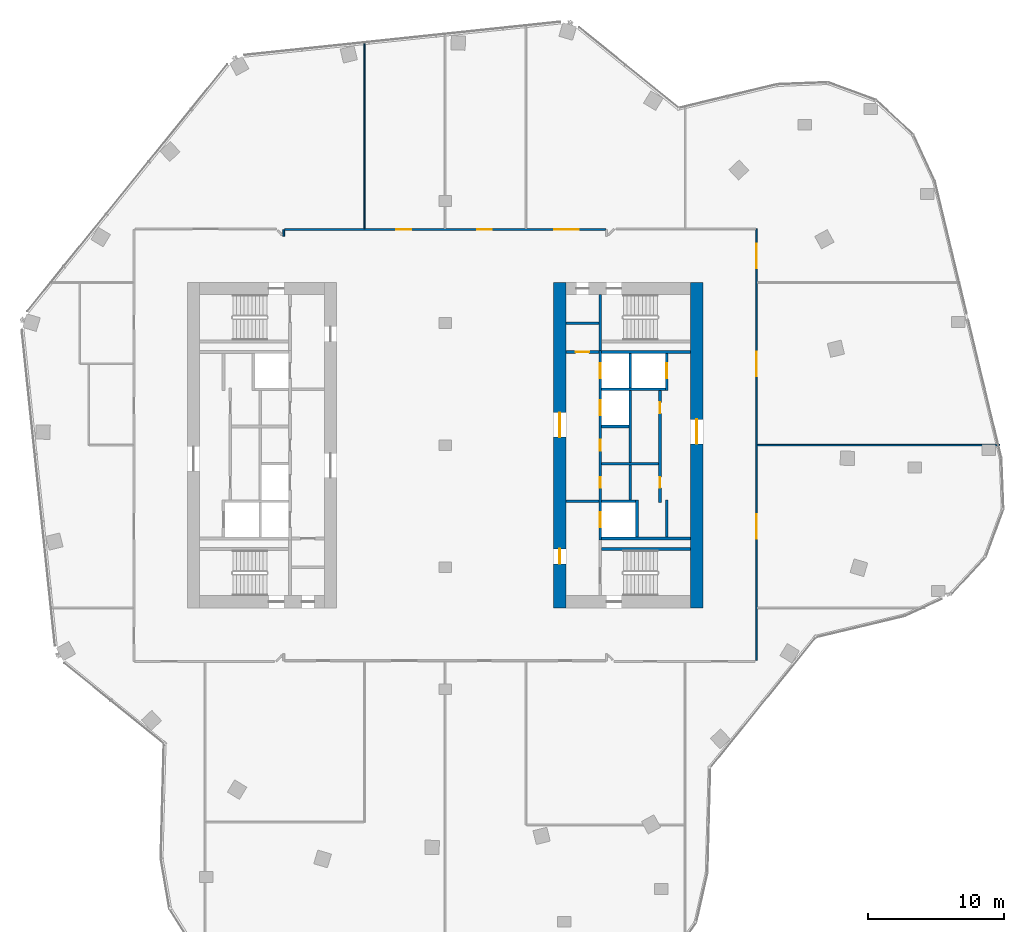
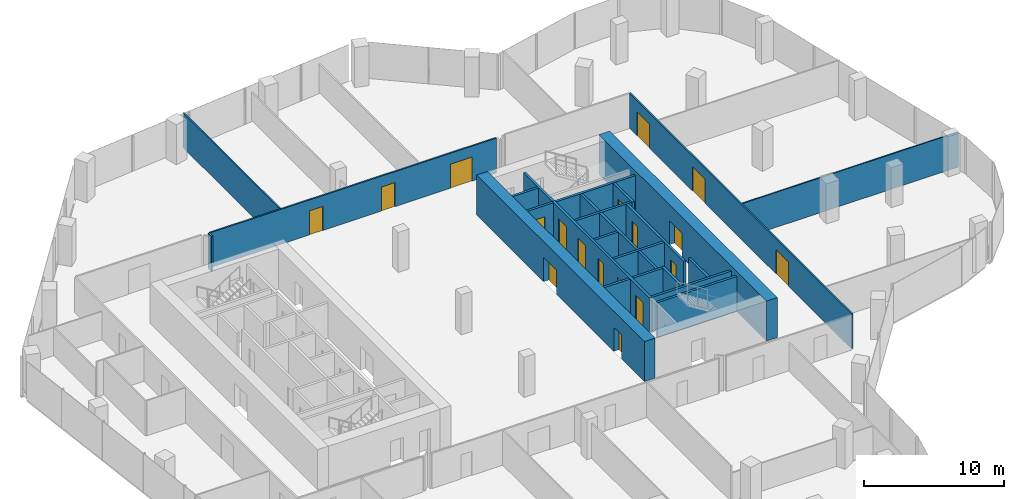
# One storey, part 20 of 23: 26 walls, 18 doors, 18 openings.
"""IFC4 building model written with IfcOpenShell, lengths in metres."""

from ifc_helpers import new_model, si_unit, direction, frame, frame_2d, origin, place, context, subcontext, project, spatial, rectangle, extrude, material, layer, layer_set, type_object, element, fill, save


model = new_model("IFC4")

# Units and contexts
model_context = context("Model", 3, precision=1e-05, world=origin(), true_north=direction((0.0, 1.0)))
body_context = subcontext(model_context, "Body", "Model", "MODEL_VIEW")
ifc_project = project(units=[si_unit("LENGTHUNIT", "METRE"), si_unit("AREAUNIT", "SQUARE_METRE"), si_unit("VOLUMEUNIT", "CUBIC_METRE"), si_unit("PLANEANGLEUNIT", "RADIAN"), si_unit("MASSUNIT", "GRAM", prefix="KILO")], contexts=[model_context])

# Site, building, storey
site_placement = place(None, origin())
site = spatial("IfcSite", under=ifc_project, at=site_placement, CompositionType="ELEMENT")
building_placement = place(site_placement, origin())
building = spatial("IfcBuilding", under=site, at=building_placement, Name="Orlundy Tower", CompositionType="ELEMENT")
storey_placement = place(building_placement, frame((0.0, 0.0, 221.0)))
storey = spatial("IfcBuildingStorey", under=building, at=storey_placement, Name="L58", CompositionType="ELEMENT", Elevation=221.0)

# Wall, openings, doors
ifc_material_1 = material(Name="Concrete C60/75", Category="concrete")
ifc_layer_1 = layer(ifc_material_1, 0.89990234375)
ifc_layer_set_1 = layer_set([ifc_layer_1], Name="CORE WALL 900 C60/75")
wall_type_1 = type_object("IfcWallType", Name="CORE WALL 900 C60/75", PredefinedType="SHEAR", material=ifc_layer_set_1)
wall_1_placement = place(storey_placement, frame((8.449951171875, -12.0, 0.0), z_axis=(0.0, 0.0, 1.0), x_axis=(0.0, 1.0, 0.0)))
wall_1 = element("IfcWall", 1, at=wall_1_placement, inside=storey, type_object=wall_type_1, Name="Core wall E-W L58", PredefinedType="SHEAR", context=body_context, shape_type="SweptSolid", body=[
    extrude(rectangle(XDim=24.0, YDim=0.89990234375, at=frame_2d((12.0, 0.0))), origin(), (0.0, 0.0, 1.0), 3.5),
])
opening_1_placement = place(wall_1_placement, frame((12.60009765625, 0.0, 0.0)))
opening_1 = element("IfcOpeningElement", 2, at=opening_1_placement, cuts=wall_1, Name="Opening 45058", PredefinedType="OPENING", context=body_context, shape_type="SweptSolid", body=[
    extrude(rectangle(XDim=1.800048828125, YDim=2.10009765625, at=frame_2d((0.89990234375, 1.050048828125))), frame((0.0, 0.4599609375, 0.0), z_axis=(0.0, -1.0, 0.0), x_axis=(1.0, 0.0, 0.0)), (0.0, 0.0, 1.0), 0.919921875),
])
opening_2_placement = place(wall_1_placement, frame((3.25, 0.0, 0.0)))
opening_2 = element("IfcOpeningElement", 3, at=opening_2_placement, cuts=wall_1, Name="Opening 45060", PredefinedType="OPENING", context=body_context, shape_type="SweptSolid", body=[
    extrude(rectangle(XDim=1.10009765625, YDim=2.10009765625, at=frame_2d((0.550048828125, 1.050048828125))), frame((0.0, 0.4599609375, 0.0), z_axis=(0.0, -1.0, 0.0), x_axis=(1.0, 0.0, 0.0)), (0.0, 0.0, 1.0), 0.919921875),
])
ifc_material_2 = material(Name="Steel door set", Category="steel")
door_type_1 = type_object("IfcDoorType", Name="Fire-fighting Lobby Door 1100x2100", OperationType="SINGLE_SWING_LEFT", PredefinedType="DOOR", material=ifc_material_2)
door_1_placement = place(opening_2_placement, origin())
door_1 = element("IfcDoor", 4, at=door_1_placement, inside=storey, type_object=door_type_1, Name="Fire-fighting lobby door 45060", OperationType="SINGLE_SWING_LEFT", OverallHeight=2.10009765625, OverallWidth=1.10009765625, PredefinedType="DOOR", context=body_context, shape_type="SweptSolid", body=[
    extrude(rectangle(XDim=1.10009765625, YDim=2.10009765625, at=frame_2d((0.550048828125, 1.050048828125))), frame((0.0, 0.02490234375, 0.0), z_axis=(0.0, -1.0, 0.0), x_axis=(1.0, 0.0, 0.0)), (0.0, 0.0, 1.0), 0.050048828125),
])
fill(opening_2, door_1)
ifc_material_3 = material(Name="Timber door set", Category="wood")
door_type_2 = type_object("IfcDoorType", Name="Lobby Door 1800x2100", OperationType="DOUBLE_DOOR_DOUBLE_SWING", PredefinedType="DOOR", material=ifc_material_3)
door_2_placement = place(opening_1_placement, origin())
door_2 = element("IfcDoor", 5, at=door_2_placement, inside=storey, type_object=door_type_2, Name="Lift lobby door 45058", OperationType="SINGLE_SWING_RIGHT", OverallHeight=2.10009765625, OverallWidth=1.800048828125, PredefinedType="DOOR", context=body_context, shape_type="SweptSolid", body=[
    extrude(rectangle(XDim=1.800048828125, YDim=2.10009765625, at=frame_2d((0.89990234375, 1.050048828125))), frame((0.0, 0.02490234375, 0.0), z_axis=(0.0, -1.0, 0.0), x_axis=(1.0, 0.0, 0.0)), (0.0, 0.0, 1.0), 0.050048828125),
])
fill(opening_1, door_2)

# Wall, opening, door
wall_2_placement = place(storey_placement, frame((18.550048828125, -12.0, 0.0), z_axis=(0.0, 0.0, 1.0), x_axis=(0.0, 1.0, 0.0)))
wall_2 = element("IfcWall", 6, at=wall_2_placement, inside=storey, type_object=wall_type_1, Name="Core wall E-E L58", PredefinedType="SHEAR", context=body_context, shape_type="SweptSolid", body=[
    extrude(rectangle(XDim=24.0, YDim=0.89990234375, at=frame_2d((12.0, 0.0))), origin(), (0.0, 0.0, 1.0), 3.5),
])
opening_3_placement = place(wall_2_placement, frame((12.10009765625, 0.0, 0.0)))
opening_3 = element("IfcOpeningElement", 7, at=opening_3_placement, cuts=wall_2, Name="Opening 45059", PredefinedType="OPENING", context=body_context, shape_type="SweptSolid", body=[
    extrude(rectangle(XDim=1.800048828125, YDim=2.10009765625, at=frame_2d((0.89990234375, 1.050048828125))), frame((0.0, 0.4599609375, 0.0), z_axis=(0.0, -1.0, 0.0), x_axis=(1.0, 0.0, 0.0)), (0.0, 0.0, 1.0), 0.919921875),
])
door_3_placement = place(opening_3_placement, origin())
door_3 = element("IfcDoor", 8, at=door_3_placement, inside=storey, type_object=door_type_2, Name="Lift lobby door 45059", OperationType="SINGLE_SWING_RIGHT", OverallHeight=2.10009765625, OverallWidth=1.800048828125, PredefinedType="DOOR", context=body_context, shape_type="SweptSolid", body=[
    extrude(rectangle(XDim=1.800048828125, YDim=2.10009765625, at=frame_2d((0.89990234375, 1.050048828125))), frame((0.0, 0.02490234375, 0.0), z_axis=(0.0, -1.0, 0.0), x_axis=(1.0, 0.0, 0.0)), (0.0, 0.0, 1.0), 0.050048828125),
])
fill(opening_3, door_3)

# Walls
ifc_material_4 = material(Name="Gypsum board partition")
ifc_layer_2 = layer(ifc_material_4, 0.10009765625)
ifc_layer_set_2 = layer_set([ifc_layer_2], Name="Floor partition 100")
wall_type_2 = type_object("IfcWallType", Name="Floor partition 100", PredefinedType="PARTITIONING", material=ifc_layer_set_2)
wall_3_placement = place(storey_placement, frame((23.013916015625, 0.0, 0.0), z_axis=(0.0, 0.0, 1.0), x_axis=(1.0, 0.0, 0.0)))
element("IfcWall", 9, at=wall_3_placement, inside=storey, type_object=wall_type_2, Name="wall-int-L58-011", PredefinedType="PARTITIONING", context=body_context, shape_type="SweptSolid", body=[
    extrude(rectangle(XDim=17.865966796875, YDim=0.10009765625, at=frame_2d((8.93310546875, 0.0))), origin(), (0.0, 0.0, 1.0), 3.06005859375),
])
wall_4_placement = place(storey_placement, frame((-5.948974609375, 15.962890625, 0.0), z_axis=(0.0, 0.0, 1.0), x_axis=(0.0, 1.0, 0.0)))
element("IfcWall", 10, at=wall_4_placement, inside=storey, type_object=wall_type_2, Name="wall-int-L58-030", PredefinedType="PARTITIONING", context=body_context, shape_type="SweptSolid", body=[
    extrude(rectangle(XDim=13.8291015625, YDim=0.10009765625, at=frame_2d((6.91455078125, 0.0))), origin(), (0.0, 0.0, 1.0), 3.06005859375),
])

# Wall, openings, doors
ifc_material_5 = material(Name="Gypsum board partition, double layer")
ifc_layer_3 = layer(ifc_material_5, 0.125)
ifc_layer_set_3 = layer_set([ifc_layer_3], Name="Floor partition 125")
wall_type_3 = type_object("IfcWallType", Name="Floor partition 125", PredefinedType="PARTITIONING", material=ifc_layer_set_3)
wall_5_placement = place(storey_placement, frame((-11.837890625, 15.90087890625, 0.0), z_axis=(0.0, 0.0, 1.0), x_axis=(1.0, 0.0, 0.0)))
wall_5 = element("IfcWall", 11, at=wall_5_placement, inside=storey, type_object=wall_type_3, Name="wall-int-L58-015", PredefinedType="PARTITIONING", context=body_context, shape_type="SweptSolid", body=[
    extrude(rectangle(XDim=23.67578125, YDim=0.125, at=frame_2d((11.837890625, 0.0))), origin(), (0.0, 0.0, 1.0), 3.06005859375),
])
opening_4_placement = place(wall_5_placement, frame((19.886474609375, 0.0, 0.0)))
opening_4 = element("IfcOpeningElement", 12, at=opening_4_placement, cuts=wall_5, Name="Opening 45111", PredefinedType="OPENING", context=body_context, shape_type="SweptSolid", body=[
    extrude(rectangle(XDim=1.800048828125, YDim=2.10009765625, at=frame_2d((0.89990234375, 1.050048828125))), frame((0.0, 0.072509765625, 0.0), z_axis=(0.0, -1.0, 0.0), x_axis=(1.0, 0.0, 0.0)), (0.0, 0.0, 1.0), 0.14501953125),
])
opening_5_placement = place(wall_5_placement, frame((14.1875, 0.0, 0.0)))
opening_5 = element("IfcOpeningElement", 13, at=opening_5_placement, cuts=wall_5, Name="Opening 45112", PredefinedType="OPENING", context=body_context, shape_type="SweptSolid", body=[
    extrude(rectangle(XDim=1.10009765625, YDim=2.10009765625, at=frame_2d((0.550048828125, 1.050048828125))), frame((0.0, 0.072509765625, 0.0), z_axis=(0.0, -1.0, 0.0), x_axis=(1.0, 0.0, 0.0)), (0.0, 0.0, 1.0), 0.14501953125),
])
opening_6_placement = place(wall_5_placement, frame((8.238525390625, 0.0, 0.0)))
opening_6 = element("IfcOpeningElement", 14, at=opening_6_placement, cuts=wall_5, Name="Opening 45113", PredefinedType="OPENING", context=body_context, shape_type="SweptSolid", body=[
    extrude(rectangle(XDim=1.10009765625, YDim=2.10009765625, at=frame_2d((0.550048828125, 1.050048828125))), frame((0.0, 0.072509765625, 0.0), z_axis=(0.0, -1.0, 0.0), x_axis=(1.0, 0.0, 0.0)), (0.0, 0.0, 1.0), 0.14501953125),
])
ifc_material_6 = material(Name="Timber door leaf", Category="wood")
door_type_3 = type_object("IfcDoorType", Name="Floor door double 1800 FD30S", OperationType="NOTDEFINED", PredefinedType="DOOR", material=ifc_material_6)
door_4_placement = place(opening_4_placement, origin())
door_4 = element("IfcDoor", 15, at=door_4_placement, inside=storey, type_object=door_type_3, Name="Door 45111", OperationType="DOUBLE_DOOR_SINGLE_SWING", OverallHeight=2.10009765625, OverallWidth=1.800048828125, PredefinedType="DOOR", context=body_context, shape_type="SweptSolid", body=[
    extrude(rectangle(XDim=1.800048828125, YDim=2.10009765625, at=frame_2d((0.89990234375, 1.050048828125))), frame((0.0, 0.02490234375, 0.0), z_axis=(0.0, -1.0, 0.0), x_axis=(1.0, 0.0, 0.0)), (0.0, 0.0, 1.0), 0.050048828125),
])
fill(opening_4, door_4)
ifc_material_7 = material(Name="Timber door leaf", Category="wood")
door_type_4 = type_object("IfcDoorType", Name="Floor door xwide 1100 FD30S", OperationType="NOTDEFINED", PredefinedType="DOOR", material=ifc_material_7)
door_5_placement = place(opening_5_placement, origin())
door_5 = element("IfcDoor", 16, at=door_5_placement, inside=storey, type_object=door_type_4, Name="Door 45112", OperationType="SINGLE_SWING_RIGHT", OverallHeight=2.10009765625, OverallWidth=1.10009765625, PredefinedType="DOOR", context=body_context, shape_type="SweptSolid", body=[
    extrude(rectangle(XDim=1.10009765625, YDim=2.10009765625, at=frame_2d((0.550048828125, 1.050048828125))), frame((0.0, 0.02490234375, 0.0), z_axis=(0.0, -1.0, 0.0), x_axis=(1.0, 0.0, 0.0)), (0.0, 0.0, 1.0), 0.050048828125),
])
fill(opening_5, door_5)
door_6_placement = place(opening_6_placement, origin())
door_6 = element("IfcDoor", 17, at=door_6_placement, inside=storey, type_object=door_type_4, Name="Door 45113", OperationType="SINGLE_SWING_LEFT", OverallHeight=2.10009765625, OverallWidth=1.10009765625, PredefinedType="DOOR", context=body_context, shape_type="SweptSolid", body=[
    extrude(rectangle(XDim=1.10009765625, YDim=2.10009765625, at=frame_2d((0.550048828125, 1.050048828125))), frame((0.0, 0.02490234375, 0.0), z_axis=(0.0, -1.0, 0.0), x_axis=(1.0, 0.0, 0.0)), (0.0, 0.0, 1.0), 0.050048828125),
])
fill(opening_6, door_6)

wall_6_placement = place(storey_placement, frame((22.950927734375, 15.949951171875, 0.0), z_axis=(0.0, 0.0, 1.0), x_axis=(0.0, -1.0, 0.0)))
wall_6 = element("IfcWall", 18, at=wall_6_placement, inside=storey, type_object=wall_type_3, Name="wall-int-L58-020", PredefinedType="PARTITIONING", context=body_context, shape_type="SweptSolid", body=[
    extrude(rectangle(XDim=31.827880859375, YDim=0.125, at=frame_2d((15.9140625, 0.0))), origin(), (0.0, 0.0, 1.0), 3.06005859375),
])
opening_7_placement = place(wall_6_placement, frame((21.050048828125, 0.0, 0.0)))
opening_7 = element("IfcOpeningElement", 19, at=opening_7_placement, cuts=wall_6, Name="Opening 45108", PredefinedType="OPENING", context=body_context, shape_type="SweptSolid", body=[
    extrude(rectangle(XDim=1.800048828125, YDim=2.10009765625, at=frame_2d((0.89990234375, 1.050048828125))), frame((0.0, 0.072509765625, 0.0), z_axis=(0.0, -1.0, 0.0), x_axis=(1.0, 0.0, 0.0)), (0.0, 0.0, 1.0), 0.14501953125),
])
opening_8_placement = place(wall_6_placement, frame((9.050048828125, 0.0, 0.0)))
opening_8 = element("IfcOpeningElement", 20, at=opening_8_placement, cuts=wall_6, Name="Opening 45109", PredefinedType="OPENING", context=body_context, shape_type="SweptSolid", body=[
    extrude(rectangle(XDim=1.800048828125, YDim=2.10009765625, at=frame_2d((0.89990234375, 1.050048828125))), frame((0.0, 0.072509765625, 0.0), z_axis=(0.0, -1.0, 0.0), x_axis=(1.0, 0.0, 0.0)), (0.0, 0.0, 1.0), 0.14501953125),
])
opening_9_placement = place(wall_6_placement, frame((1.10009765625, 0.0, 0.0)))
opening_9 = element("IfcOpeningElement", 21, at=opening_9_placement, cuts=wall_6, Name="Opening 45110", PredefinedType="OPENING", context=body_context, shape_type="SweptSolid", body=[
    extrude(rectangle(XDim=1.800048828125, YDim=2.10009765625, at=frame_2d((0.89990234375, 1.050048828125))), frame((0.0, 0.072509765625, 0.0), z_axis=(0.0, -1.0, 0.0), x_axis=(1.0, 0.0, 0.0)), (0.0, 0.0, 1.0), 0.14501953125),
])
door_7_placement = place(opening_7_placement, origin())
door_7 = element("IfcDoor", 22, at=door_7_placement, inside=storey, type_object=door_type_3, Name="Door 45108", OperationType="DOUBLE_DOOR_SINGLE_SWING", OverallHeight=2.10009765625, OverallWidth=1.800048828125, PredefinedType="DOOR", context=body_context, shape_type="SweptSolid", body=[
    extrude(rectangle(XDim=1.800048828125, YDim=2.10009765625, at=frame_2d((0.89990234375, 1.050048828125))), frame((0.0, 0.02490234375, 0.0), z_axis=(0.0, -1.0, 0.0), x_axis=(1.0, 0.0, 0.0)), (0.0, 0.0, 1.0), 0.050048828125),
])
fill(opening_7, door_7)
door_8_placement = place(opening_8_placement, origin())
door_8 = element("IfcDoor", 23, at=door_8_placement, inside=storey, type_object=door_type_3, Name="Door 45109", OperationType="DOUBLE_DOOR_SINGLE_SWING", OverallHeight=2.10009765625, OverallWidth=1.800048828125, PredefinedType="DOOR", context=body_context, shape_type="SweptSolid", body=[
    extrude(rectangle(XDim=1.800048828125, YDim=2.10009765625, at=frame_2d((0.89990234375, 1.050048828125))), frame((0.0, 0.02490234375, 0.0), z_axis=(0.0, -1.0, 0.0), x_axis=(1.0, 0.0, 0.0)), (0.0, 0.0, 1.0), 0.050048828125),
])
fill(opening_8, door_8)
door_9_placement = place(opening_9_placement, origin())
door_9 = element("IfcDoor", 24, at=door_9_placement, inside=storey, type_object=door_type_3, Name="Door 45110", OperationType="DOUBLE_DOOR_SINGLE_SWING", OverallHeight=2.10009765625, OverallWidth=1.800048828125, PredefinedType="DOOR", context=body_context, shape_type="SweptSolid", body=[
    extrude(rectangle(XDim=1.800048828125, YDim=2.10009765625, at=frame_2d((0.89990234375, 1.050048828125))), frame((0.0, 0.02490234375, 0.0), z_axis=(0.0, -1.0, 0.0), x_axis=(1.0, 0.0, 0.0)), (0.0, 0.0, 1.0), 0.050048828125),
])
fill(opening_9, door_9)

# Walls
wall_7_placement = place(storey_placement, frame((-11.90087890625, 15.39208984375, 0.0), z_axis=(0.0, 0.0, 1.0), x_axis=(0.0, 1.0, 0.0)))
element("IfcWall", 25, at=wall_7_placement, inside=storey, type_object=wall_type_3, Name="wall-int-L58-032", PredefinedType="PARTITIONING", context=body_context, shape_type="SweptSolid", body=[
    extrude(rectangle(XDim=0.5078125, YDim=0.125, at=frame_2d((0.25390625, 0.0))), origin(), (0.0, 0.0, 1.0), 3.06005859375),
])
ifc_material_8 = material(Name="Concrete C40/50", Category="concrete")
ifc_layer_4 = layer(ifc_material_8, 0.199951171875)
ifc_layer_set_4 = layer_set([ifc_layer_4], Name="Load-bearing Shaft Wall 200")
wall_type_4 = type_object("IfcWallType", Name="Load-bearing Shaft Wall 200", PredefinedType="SOLIDWALL", material=ifc_layer_set_4)
wall_8_placement = place(storey_placement, frame((11.5400390625, -7.64990234375, 0.0), z_axis=(0.0, 0.0, 1.0), x_axis=(1.0, 0.0, 0.0)))
element("IfcWall", 26, at=wall_8_placement, inside=storey, type_object=wall_type_4, Name="Shaft wall E45-stair-side-n", PredefinedType="SOLIDWALL", context=body_context, shape_type="SweptSolid", body=[
    extrude(rectangle(XDim=6.56005859375, YDim=0.199951171875, at=frame_2d((3.280029296875, 0.0))), origin(), (0.0, 0.0, 1.0), 3.080078125),
])
wall_9_placement = place(storey_placement, frame((11.43994140625, 11.10009765625, 0.0), z_axis=(0.0, 0.0, 1.0), x_axis=(0.0, -1.0, 0.0)))
element("IfcWall", 27, at=wall_9_placement, inside=storey, type_object=wall_type_4, Name="Shaft wall E45-stair-end-s", PredefinedType="SOLIDWALL", context=body_context, shape_type="SweptSolid", body=[
    extrude(rectangle(XDim=4.125, YDim=0.199951171875, at=frame_2d((2.0625, 0.0))), origin(), (0.0, 0.0, 1.0), 3.080078125),
])
ifc_material_9 = material(Name="Gypsum board partition on steel studs", Category="steel")
ifc_layer_5 = layer(ifc_material_9, 0.199951171875)
ifc_layer_set_5 = layer_set([ifc_layer_5], Name="Partition 200")
wall_type_5 = type_object("IfcWallType", Name="Partition 200", PredefinedType="PARTITIONING", material=ifc_layer_set_5)
wall_10_placement = place(storey_placement, frame((8.89990234375, -4.125, 0.0), z_axis=(0.0, 0.0, 1.0), x_axis=(1.0, 0.0, 0.0)))
element("IfcWall", 28, at=wall_10_placement, inside=storey, type_object=wall_type_5, Name="Partition wall E45-lobby-n", PredefinedType="PARTITIONING", context=body_context, shape_type="SweptSolid", body=[
    extrude(rectangle(XDim=2.440185546875, YDim=0.199951171875, at=frame_2d((1.22021484375, 0.0))), origin(), (0.0, 0.0, 1.0), 3.080078125),
])

# Wall, opening, door
wall_11_placement = place(storey_placement, frame((8.89990234375, 6.875, 0.0), z_axis=(0.0, 0.0, 1.0), x_axis=(1.0, 0.0, 0.0)))
wall_11 = element("IfcWall", 29, at=wall_11_placement, inside=storey, type_object=wall_type_5, Name="Partition wall E45-end-s", PredefinedType="PARTITIONING", context=body_context, shape_type="SweptSolid", body=[
    extrude(rectangle(XDim=2.440185546875, YDim=0.199951171875, at=frame_2d((1.22021484375, 0.0))), origin(), (0.0, 0.0, 1.0), 3.080078125),
])
opening_10_placement = place(wall_11_placement, frame((0.719970703125, 0.0, 0.0)))
opening_10 = element("IfcOpeningElement", 30, at=opening_10_placement, cuts=wall_11, Name="Opening 45065", PredefinedType="OPENING", context=body_context, shape_type="SweptSolid", body=[
    extrude(rectangle(XDim=1.0, YDim=2.10009765625, at=frame_2d((0.5, 1.050048828125))), frame((0.0, 0.110107421875, 0.0), z_axis=(0.0, -1.0, 0.0), x_axis=(1.0, 0.0, 0.0)), (0.0, 0.0, 1.0), 0.22021484375),
])
ifc_material_10 = material(Name="Timber door set", Category="wood")
door_type_5 = type_object("IfcDoorType", Name="Accessible Door 1000x2100", OperationType="SINGLE_SWING_LEFT", PredefinedType="DOOR", material=ifc_material_10)
door_10_placement = place(opening_10_placement, origin())
door_10 = element("IfcDoor", 31, at=door_10_placement, inside=storey, type_object=door_type_5, Name="Accessible WC door 45065", OperationType="SINGLE_SWING_RIGHT", OverallHeight=2.10009765625, OverallWidth=1.0, PredefinedType="DOOR", context=body_context, shape_type="SweptSolid", body=[
    extrude(rectangle(XDim=1.0, YDim=2.10009765625, at=frame_2d((0.5, 1.050048828125))), frame((0.0, 0.02490234375, 0.0), z_axis=(0.0, -1.0, 0.0), x_axis=(1.0, 0.0, 0.0)), (0.0, 0.0, 1.0), 0.050048828125),
])
fill(opening_10, door_10)

# Walls
wall_12_placement = place(storey_placement, frame((8.89990234375, 9.0, 0.0), z_axis=(0.0, 0.0, 1.0), x_axis=(1.0, 0.0, 0.0)))
element("IfcWall", 32, at=wall_12_placement, inside=storey, type_object=wall_type_5, Name="Partition wall E45-room-s0", PredefinedType="PARTITIONING", context=body_context, shape_type="SweptSolid", body=[
    extrude(rectangle(XDim=2.440185546875, YDim=0.199951171875, at=frame_2d((1.22021484375, 0.0))), origin(), (0.0, 0.0, 1.0), 3.080078125),
])
ifc_material_11 = material(Name="Fire-rated blockwork shaft wall", Category="masonry")
ifc_layer_6 = layer(ifc_material_11, 0.199951171875)
ifc_layer_set_6 = layer_set([ifc_layer_6], Name="Shaft Wall 200")
wall_type_6 = type_object("IfcWallType", Name="Shaft Wall 200", PredefinedType="SOLIDWALL", material=ifc_layer_set_6)
for number, where, z_axis, x_axis, name in (
    (33, (11.5400390625, -6.875, 0.0), (0.0, 0.0, 1.0), (1.0, 0.0, 0.0), "Shaft wall E45-zone-n"),
    (34, (11.5400390625, 6.875, 0.0), (0.0, 0.0, 1.0), (1.0, 0.0, 0.0), "Shaft wall E45-zone-s"),
):
    element("IfcWall", number, at=place(storey_placement, frame(where, z_axis=z_axis, x_axis=x_axis)), inside=storey, type_object=wall_type_6, Name=name, PredefinedType="SOLIDWALL", context=body_context, shape_type="SweptSolid", body=[
        extrude(rectangle(XDim=6.56005859375, YDim=0.199951171875, at=frame_2d((3.280029296875, 0.0))), origin(), (0.0, 0.0, 1.0), 3.080078125),
    ])
wall_13_placement = place(storey_placement, frame((11.5400390625, 4.125, 0.0), z_axis=(0.0, 0.0, 1.0), x_axis=(1.0, 0.0, 0.0)))
element("IfcWall", 35, at=wall_13_placement, inside=storey, type_object=wall_type_6, Name="Shaft wall E45-cross-4.125", PredefinedType="SOLIDWALL", context=body_context, shape_type="SweptSolid", body=[
    extrude(rectangle(XDim=4.699951171875, YDim=0.199951171875, at=frame_2d((2.35009765625, 0.0))), origin(), (0.0, 0.0, 1.0), 3.080078125),
])
wall_14_placement = place(storey_placement, frame((11.5400390625, 1.375, 0.0), z_axis=(0.0, 0.0, 1.0), x_axis=(1.0, 0.0, 0.0)))
element("IfcWall", 36, at=wall_14_placement, inside=storey, type_object=wall_type_6, Name="Shaft wall E45-cross-1.375", PredefinedType="SOLIDWALL", context=body_context, shape_type="SweptSolid", body=[
    extrude(rectangle(XDim=2.0, YDim=0.199951171875, at=frame_2d((1.0, 0.0))), origin(), (0.0, 0.0, 1.0), 3.080078125),
])
wall_15_placement = place(storey_placement, frame((11.5400390625, -1.375, 0.0), z_axis=(0.0, 0.0, 1.0), x_axis=(1.0, 0.0, 0.0)))
element("IfcWall", 37, at=wall_15_placement, inside=storey, type_object=wall_type_6, Name="Shaft wall E45-cross+1.375", PredefinedType="SOLIDWALL", context=body_context, shape_type="SweptSolid", body=[
    extrude(rectangle(XDim=4.199951171875, YDim=0.199951171875, at=frame_2d((2.10009765625, 0.0))), origin(), (0.0, 0.0, 1.0), 3.080078125),
])
wall_16_placement = place(storey_placement, frame((11.5400390625, -4.125, 0.0), z_axis=(0.0, 0.0, 1.0), x_axis=(1.0, 0.0, 0.0)))
element("IfcWall", 38, at=wall_16_placement, inside=storey, type_object=wall_type_6, Name="Shaft wall E45-cross+4.125", PredefinedType="SOLIDWALL", context=body_context, shape_type="SweptSolid", body=[
    extrude(rectangle(XDim=2.5, YDim=0.199951171875, at=frame_2d((1.25, 0.0))), origin(), (0.0, 0.0, 1.0), 3.080078125),
])

# Wall, openings, doors
wall_17_placement = place(storey_placement, frame((11.43994140625, 6.97509765625, 0.0), z_axis=(0.0, 0.0, 1.0), x_axis=(0.0, -1.0, 0.0)))
wall_17 = element("IfcWall", 39, at=wall_17_placement, inside=storey, type_object=wall_type_6, Name="Shaft wall E45-front-h", PredefinedType="SOLIDWALL", context=body_context, shape_type="SweptSolid", body=[
    extrude(rectangle(XDim=13.9501953125, YDim=0.199951171875, at=frame_2d((6.97509765625, 0.0))), origin(), (0.0, 0.0, 1.0), 3.080078125),
])
opening_11_placement = place(wall_17_placement, frame((0.925048828125, 0.0, 0.0)))
opening_11 = element("IfcOpeningElement", 40, at=opening_11_placement, cuts=wall_17, Name="Opening 45050", PredefinedType="OPENING", context=body_context, shape_type="SweptSolid", body=[
    extrude(rectangle(XDim=1.10009765625, YDim=2.10009765625, at=frame_2d((0.550048828125, 1.050048828125))), frame((0.0, 0.110107421875, 0.0), z_axis=(0.0, -1.0, 0.0), x_axis=(1.0, 0.0, 0.0)), (0.0, 0.0, 1.0), 0.22021484375),
])
opening_12_placement = place(wall_17_placement, frame((3.675048828125, 0.0, 0.0)))
opening_12 = element("IfcOpeningElement", 41, at=opening_12_placement, cuts=wall_17, Name="Opening 45052", PredefinedType="OPENING", context=body_context, shape_type="SweptSolid", body=[
    extrude(rectangle(XDim=1.10009765625, YDim=2.10009765625, at=frame_2d((0.550048828125, 1.050048828125))), frame((0.0, 0.110107421875, 0.0), z_axis=(0.0, -1.0, 0.0), x_axis=(1.0, 0.0, 0.0)), (0.0, 0.0, 1.0), 0.22021484375),
])
opening_13_placement = place(wall_17_placement, frame((11.925048828125, 0.0, 0.0)))
opening_13 = element("IfcOpeningElement", 42, at=opening_13_placement, cuts=wall_17, Name="Opening 45053", PredefinedType="OPENING", context=body_context, shape_type="SweptSolid", body=[
    extrude(rectangle(XDim=1.10009765625, YDim=2.10009765625, at=frame_2d((0.550048828125, 1.050048828125))), frame((0.0, 0.110107421875, 0.0), z_axis=(0.0, -1.0, 0.0), x_axis=(1.0, 0.0, 0.0)), (0.0, 0.0, 1.0), 0.22021484375),
])
opening_14_placement = place(wall_17_placement, frame((6.574951171875, 0.0, 0.0)))
opening_14 = element("IfcOpeningElement", 43, at=opening_14_placement, cuts=wall_17, Name="Opening 45055", PredefinedType="OPENING", context=body_context, shape_type="SweptSolid", body=[
    extrude(rectangle(XDim=0.800048828125, YDim=2.10009765625, at=frame_2d((0.39990234375, 1.050048828125))), frame((0.0, 0.110107421875, 0.0), z_axis=(0.0, -1.0, 0.0), x_axis=(1.0, 0.0, 0.0)), (0.0, 0.0, 1.0), 0.22021484375),
])
opening_15_placement = place(wall_17_placement, frame((9.324951171875, 0.0, 0.0)))
opening_15 = element("IfcOpeningElement", 44, at=opening_15_placement, cuts=wall_17, Name="Opening 45056", PredefinedType="OPENING", context=body_context, shape_type="SweptSolid", body=[
    extrude(rectangle(XDim=0.800048828125, YDim=2.10009765625, at=frame_2d((0.39990234375, 1.050048828125))), frame((0.0, 0.110107421875, 0.0), z_axis=(0.0, -1.0, 0.0), x_axis=(1.0, 0.0, 0.0)), (0.0, 0.0, 1.0), 0.22021484375),
])
ifc_material_12 = material(Name="Steel door set", Category="steel")
door_type_6 = type_object("IfcDoorType", Name="Landing Door 1100x2100", OperationType="DOUBLE_DOOR_SLIDING", PredefinedType="DOOR", material=ifc_material_12)
door_11_placement = place(opening_11_placement, origin())
door_11 = element("IfcDoor", 45, at=door_11_placement, inside=storey, type_object=door_type_6, Name="Lift landing door LP-24 45050", OperationType="DOUBLE_DOOR_SLIDING", OverallHeight=2.10009765625, OverallWidth=1.10009765625, PredefinedType="DOOR", context=body_context, shape_type="SweptSolid", body=[
    extrude(rectangle(XDim=1.10009765625, YDim=2.10009765625, at=frame_2d((0.550048828125, 1.050048828125))), frame((0.0, 0.02490234375, 0.0), z_axis=(0.0, -1.0, 0.0), x_axis=(1.0, 0.0, 0.0)), (0.0, 0.0, 1.0), 0.050048828125),
])
fill(opening_11, door_11)
door_12_placement = place(opening_12_placement, origin())
door_12 = element("IfcDoor", 46, at=door_12_placement, inside=storey, type_object=door_type_6, Name="Lift landing door LP-23 45052", OperationType="DOUBLE_DOOR_SLIDING", OverallHeight=2.10009765625, OverallWidth=1.10009765625, PredefinedType="DOOR", context=body_context, shape_type="SweptSolid", body=[
    extrude(rectangle(XDim=1.10009765625, YDim=2.10009765625, at=frame_2d((0.550048828125, 1.050048828125))), frame((0.0, 0.02490234375, 0.0), z_axis=(0.0, -1.0, 0.0), x_axis=(1.0, 0.0, 0.0)), (0.0, 0.0, 1.0), 0.050048828125),
])
fill(opening_12, door_12)
door_13_placement = place(opening_13_placement, origin())
door_13 = element("IfcDoor", 47, at=door_13_placement, inside=storey, type_object=door_type_6, Name="Lift landing door FL2 45053", OperationType="DOUBLE_DOOR_SLIDING", OverallHeight=2.10009765625, OverallWidth=1.10009765625, PredefinedType="DOOR", context=body_context, shape_type="SweptSolid", body=[
    extrude(rectangle(XDim=1.10009765625, YDim=2.10009765625, at=frame_2d((0.550048828125, 1.050048828125))), frame((0.0, 0.02490234375, 0.0), z_axis=(0.0, -1.0, 0.0), x_axis=(1.0, 0.0, 0.0)), (0.0, 0.0, 1.0), 0.050048828125),
])
fill(opening_13, door_13)
ifc_material_13 = material(Name="Timber door set", Category="wood")
door_type_7 = type_object("IfcDoorType", Name="Riser Door 800x2100", OperationType="SINGLE_SWING_LEFT", PredefinedType="DOOR", material=ifc_material_13)
door_14_placement = place(opening_14_placement, origin())
door_14 = element("IfcDoor", 48, at=door_14_placement, inside=storey, type_object=door_type_7, Name="Security Store door 45055", OperationType="SINGLE_SWING_LEFT", OverallHeight=2.10009765625, OverallWidth=0.800048828125, PredefinedType="DOOR", context=body_context, shape_type="SweptSolid", body=[
    extrude(rectangle(XDim=0.800048828125, YDim=2.10009765625, at=frame_2d((0.39990234375, 1.050048828125))), frame((0.0, 0.02490234375, 0.0), z_axis=(0.0, -1.0, 0.0), x_axis=(1.0, 0.0, 0.0)), (0.0, 0.0, 1.0), 0.050048828125),
])
fill(opening_14, door_14)
door_15_placement = place(opening_15_placement, origin())
door_15 = element("IfcDoor", 49, at=door_15_placement, inside=storey, type_object=door_type_7, Name="Furniture Store door 45056", OperationType="SINGLE_SWING_LEFT", OverallHeight=2.10009765625, OverallWidth=0.800048828125, PredefinedType="DOOR", context=body_context, shape_type="SweptSolid", body=[
    extrude(rectangle(XDim=0.800048828125, YDim=2.10009765625, at=frame_2d((0.39990234375, 1.050048828125))), frame((0.0, 0.02490234375, 0.0), z_axis=(0.0, -1.0, 0.0), x_axis=(1.0, 0.0, 0.0)), (0.0, 0.0, 1.0), 0.050048828125),
])
fill(opening_15, door_15)

# Walls
wall_18_placement = place(storey_placement, frame((13.639892578125, 6.77490234375, 0.0), z_axis=(0.0, 0.0, 1.0), x_axis=(0.0, -1.0, 0.0)))
element("IfcWall", 50, at=wall_18_placement, inside=storey, type_object=wall_type_6, Name="Shaft wall E45-mid-a", PredefinedType="SOLIDWALL", context=body_context, shape_type="SweptSolid", body=[
    extrude(rectangle(XDim=2.5498046875, YDim=0.199951171875, at=frame_2d((1.27490234375, 0.0))), origin(), (0.0, 0.0, 1.0), 3.080078125),
])
wall_19_placement = place(storey_placement, frame((13.639892578125, 4.02490234375, 0.0), z_axis=(0.0, 0.0, 1.0), x_axis=(0.0, -1.0, 0.0)))
element("IfcWall", 51, at=wall_19_placement, inside=storey, type_object=wall_type_6, Name="Shaft wall E45-mid-a.1", PredefinedType="SOLIDWALL", context=body_context, shape_type="SweptSolid", body=[
    extrude(rectangle(XDim=5.2998046875, YDim=0.199951171875, at=frame_2d((2.64990234375, 0.0))), origin(), (0.0, 0.0, 1.0), 3.080078125),
])
wall_20_placement = place(storey_placement, frame((13.639892578125, -1.47509765625, 0.0), z_axis=(0.0, 0.0, 1.0), x_axis=(0.0, -1.0, 0.0)))
element("IfcWall", 52, at=wall_20_placement, inside=storey, type_object=wall_type_6, Name="Shaft wall E45-mid-a.2", PredefinedType="SOLIDWALL", context=body_context, shape_type="SweptSolid", body=[
    extrude(rectangle(XDim=2.5498046875, YDim=0.199951171875, at=frame_2d((1.27490234375, 0.0))), origin(), (0.0, 0.0, 1.0), 3.080078125),
])
wall_21_placement = place(storey_placement, frame((14.139892578125, -4.02490234375, 0.0), z_axis=(0.0, 0.0, 1.0), x_axis=(0.0, -1.0, 0.0)))
element("IfcWall", 53, at=wall_21_placement, inside=storey, type_object=wall_type_6, Name="Shaft wall E45-mid-b", PredefinedType="SOLIDWALL", context=body_context, shape_type="SweptSolid", body=[
    extrude(rectangle(XDim=2.75, YDim=0.199951171875, at=frame_2d((1.375, 0.0))), origin(), (0.0, 0.0, 1.0), 3.080078125),
])

# Wall, opening, door
wall_22_placement = place(storey_placement, frame((16.340087890625, 6.77490234375, 0.0), z_axis=(0.0, 0.0, 1.0), x_axis=(0.0, -1.0, 0.0)))
wall_22 = element("IfcWall", 54, at=wall_22_placement, inside=storey, type_object=wall_type_6, Name="Shaft wall E45-front-o-a", PredefinedType="SOLIDWALL", context=body_context, shape_type="SweptSolid", body=[
    extrude(rectangle(XDim=2.75, YDim=0.199951171875, at=frame_2d((1.375, 0.0))), origin(), (0.0, 0.0, 1.0), 3.080078125),
])
opening_16_placement = place(wall_22_placement, frame((0.72509765625, 0.0, 0.0)))
opening_16 = element("IfcOpeningElement", 55, at=opening_16_placement, cuts=wall_22, Name="Opening 45051", PredefinedType="OPENING", context=body_context, shape_type="SweptSolid", body=[
    extrude(rectangle(XDim=1.10009765625, YDim=2.10009765625, at=frame_2d((0.550048828125, 1.050048828125))), frame((0.0, 0.110107421875, 0.0), z_axis=(0.0, -1.0, 0.0), x_axis=(1.0, 0.0, 0.0)), (0.0, 0.0, 1.0), 0.22021484375),
])
door_16_placement = place(opening_16_placement, origin())
door_16 = element("IfcDoor", 56, at=door_16_placement, inside=storey, type_object=door_type_6, Name="Lift landing door LV-02 45051", OperationType="DOUBLE_DOOR_SLIDING", OverallHeight=2.10009765625, OverallWidth=1.10009765625, PredefinedType="DOOR", context=body_context, shape_type="SweptSolid", body=[
    extrude(rectangle(XDim=1.10009765625, YDim=2.10009765625, at=frame_2d((0.550048828125, 1.050048828125))), frame((0.0, 0.02490234375, 0.0), z_axis=(0.0, -1.0, 0.0), x_axis=(1.0, 0.0, 0.0)), (0.0, 0.0, 1.0), 0.050048828125),
])
fill(opening_16, door_16)

# Wall, openings, doors
wall_23_placement = place(storey_placement, frame((15.840087890625, 4.02490234375, 0.0), z_axis=(0.0, 0.0, 1.0), x_axis=(0.0, -1.0, 0.0)))
wall_23 = element("IfcWall", 57, at=wall_23_placement, inside=storey, type_object=wall_type_6, Name="Shaft wall E45-front-o-b", PredefinedType="SOLIDWALL", context=body_context, shape_type="SweptSolid", body=[
    extrude(rectangle(XDim=8.25, YDim=0.199951171875, at=frame_2d((4.125, 0.0))), origin(), (0.0, 0.0, 1.0), 3.080078125),
])
opening_17_placement = place(wall_23_placement, frame((0.875, 0.0, 0.0)))
opening_17 = element("IfcOpeningElement", 58, at=opening_17_placement, cuts=wall_23, Name="Opening 45054", PredefinedType="OPENING", context=body_context, shape_type="SweptSolid", body=[
    extrude(rectangle(XDim=0.800048828125, YDim=2.10009765625, at=frame_2d((0.39990234375, 1.050048828125))), frame((0.0, 0.110107421875, 0.0), z_axis=(0.0, -1.0, 0.0), x_axis=(1.0, 0.0, 0.0)), (0.0, 0.0, 1.0), 0.22021484375),
])
opening_18_placement = place(wall_23_placement, frame((6.375, 0.0, 0.0)))
opening_18 = element("IfcOpeningElement", 59, at=opening_18_placement, cuts=wall_23, Name="Opening 45057", PredefinedType="OPENING", context=body_context, shape_type="SweptSolid", body=[
    extrude(rectangle(XDim=0.800048828125, YDim=2.10009765625, at=frame_2d((0.39990234375, 1.050048828125))), frame((0.0, 0.110107421875, 0.0), z_axis=(0.0, -1.0, 0.0), x_axis=(1.0, 0.0, 0.0)), (0.0, 0.0, 1.0), 0.22021484375),
])
door_17_placement = place(opening_17_placement, origin())
door_17 = element("IfcDoor", 60, at=door_17_placement, inside=storey, type_object=door_type_7, Name="HVAC Riser door 45054", OperationType="SINGLE_SWING_LEFT", OverallHeight=2.10009765625, OverallWidth=0.800048828125, PredefinedType="DOOR", context=body_context, shape_type="SweptSolid", body=[
    extrude(rectangle(XDim=0.800048828125, YDim=2.10009765625, at=frame_2d((0.39990234375, 1.050048828125))), frame((0.0, 0.02490234375, 0.0), z_axis=(0.0, -1.0, 0.0), x_axis=(1.0, 0.0, 0.0)), (0.0, 0.0, 1.0), 0.050048828125),
])
fill(opening_17, door_17)
door_18_placement = place(opening_18_placement, origin())
door_18 = element("IfcDoor", 61, at=door_18_placement, inside=storey, type_object=door_type_7, Name="Cleaner's Store door 45057", OperationType="SINGLE_SWING_LEFT", OverallHeight=2.10009765625, OverallWidth=0.800048828125, PredefinedType="DOOR", context=body_context, shape_type="SweptSolid", body=[
    extrude(rectangle(XDim=0.800048828125, YDim=2.10009765625, at=frame_2d((0.39990234375, 1.050048828125))), frame((0.0, 0.02490234375, 0.0), z_axis=(0.0, -1.0, 0.0), x_axis=(1.0, 0.0, 0.0)), (0.0, 0.0, 1.0), 0.050048828125),
])
fill(opening_18, door_18)

# Wall
wall_24_placement = place(storey_placement, frame((16.340087890625, -4.02490234375, 0.0), z_axis=(0.0, 0.0, 1.0), x_axis=(0.0, -1.0, 0.0)))
element("IfcWall", 62, at=wall_24_placement, inside=storey, type_object=wall_type_6, Name="Shaft wall E45-front-o-c", PredefinedType="SOLIDWALL", context=body_context, shape_type="SweptSolid", body=[
    extrude(rectangle(XDim=2.75, YDim=0.199951171875, at=frame_2d((1.375, 0.0))), origin(), (0.0, 0.0, 1.0), 3.080078125),
])

save(model, "model.ifc")
